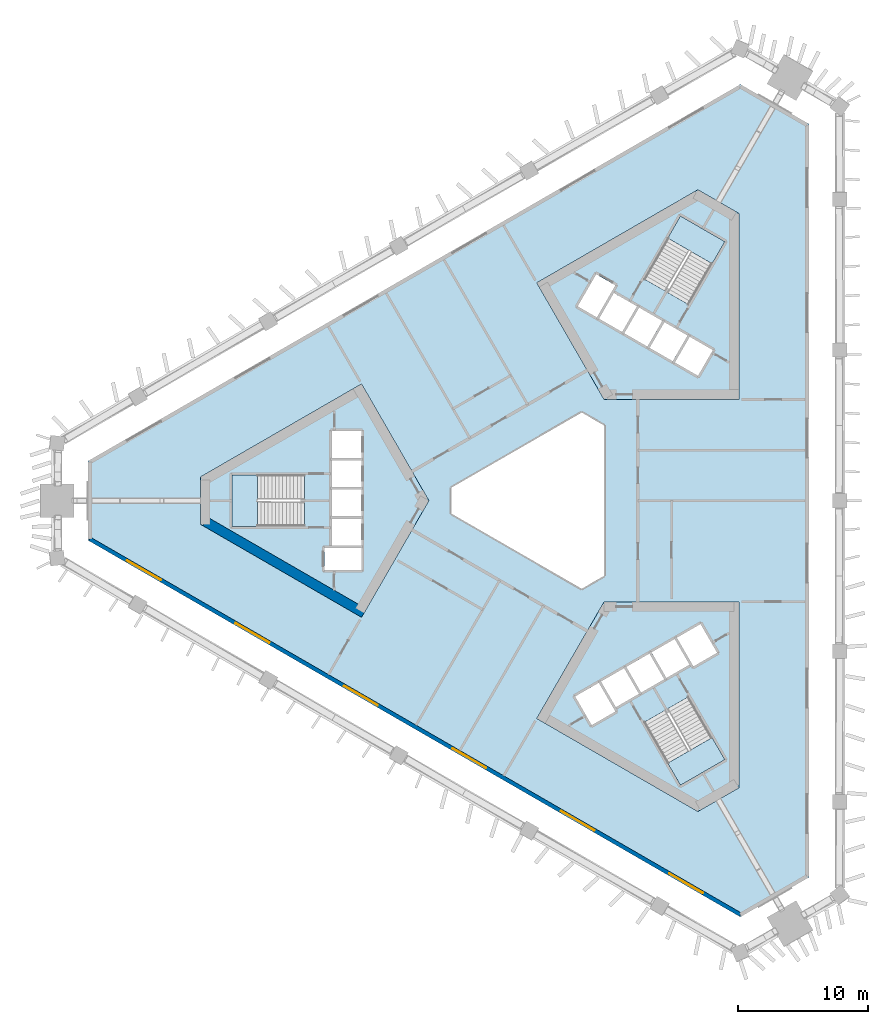
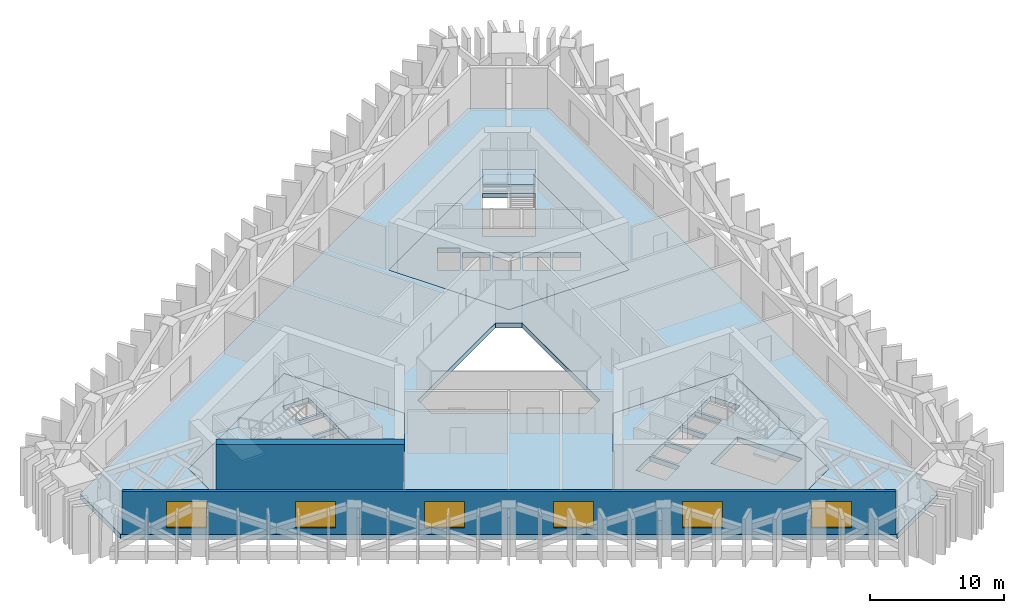
# One storey, part 3 of 9: 7 slabs, 6 windows, 2 walls, 6 openings, 3 elements without a shape of their own.
"""IFC4 building model written with IfcOpenShell, lengths in metres."""

import ifcopenshell
import ifcopenshell.guid

model = None  # the IFC model being written
_history = None  # IfcOwnerHistory: only IFC2X3 demands one
_inside = {}  # id of a spatial element -> (the spatial element, [elements in it])
_under = {}  # id of a project, library or spatial element -> (it, [spatial elements below it])
_declared = {}  # id of a project -> (the project, [libraries it declares])
_typed = {}  # id of a type object -> (the type object, [elements of that type])
_made_of = {}  # id of a material, layer set ... -> (it, [elements and type objects made of it])


def new_model(schema):
    """Start an empty IFC model of exactly this schema.

    Asked for "IFC4X3", IfcOpenShell would pick the latest addendum, in which some entities
    have other attributes; the version numbers below select the first issue.
    IFC2X3 requires an IfcOwnerHistory on every rooted entity: one is made here for all.
    """
    global model, _history
    if schema == "IFC4X3":
        model = ifcopenshell.file(schema_version=(4, 3, 0, 0))
    else:
        model = ifcopenshell.file(schema=schema)
    _inside.clear()
    _under.clear()
    _declared.clear()
    _typed.clear()
    _made_of.clear()
    _history = None
    if model.schema == "IFC2X3":
        org = make("IfcOrganization", Name="unknown")
        user = make(
            "IfcPersonAndOrganization",
            ThePerson=make("IfcPerson", FamilyName="unknown"),
            TheOrganization=org,
        )
        app = make(
            "IfcApplication",
            ApplicationDeveloper=org,
            Version="unknown",
            ApplicationFullName="unknown",
            ApplicationIdentifier="unknown",
        )
        _history = make(
            "IfcOwnerHistory",
            OwningUser=user,
            OwningApplication=app,
            ChangeAction="ADDED",
            CreationDate=0,
        )
    return model


def make(cls, **values):
    """One entity of the class cls with the attributes given. An attribute that is None is left unset."""
    return model.create_entity(
        cls, **{name: value for name, value in values.items() if value is not None}
    )


def rooted(cls, **values):
    """An entity with a GlobalId (a new one), such as an element, a storey or a relation."""
    return make(cls, GlobalId=ifcopenshell.guid.new(), OwnerHistory=_history, **values)


def si_unit(unit_type, name, prefix=None):
    """IfcSIUnit, for example si_unit("LENGTHUNIT", "METRE", prefix="MILLI")."""
    return make("IfcSIUnit", UnitType=unit_type, Prefix=prefix, Name=name)


def assignment(units):
    """IfcUnitAssignment: the units of a project."""
    return None if units is None else make("IfcUnitAssignment", Units=units)


def point(xyz):
    """IfcCartesianPoint."""
    return None if xyz is None else make("IfcCartesianPoint", Coordinates=xyz)


def direction(xyz):
    """IfcDirection."""
    return None if xyz is None else make("IfcDirection", DirectionRatios=xyz)


def frame(location, z_axis=None, x_axis=None):
    """IfcAxis2Placement3D, a coordinate frame: its origin and axes. An axis left out is left unset."""
    return make(
        "IfcAxis2Placement3D",
        Location=point(location),
        Axis=direction(z_axis),
        RefDirection=direction(x_axis),
    )


def frame_2d(location, x_axis=None):
    """IfcAxis2Placement2D, a coordinate frame in the plane: its origin and x axis."""
    return make(
        "IfcAxis2Placement2D", Location=point(location), RefDirection=direction(x_axis)
    )


def origin():
    """The frame at (0, 0, 0) with its axes left unset."""
    return frame((0.0, 0.0, 0.0))


def place(relative_to, where):
    """IfcLocalPlacement: puts the frame where relative to a parent placement (None: the world)."""
    return make(
        "IfcLocalPlacement", PlacementRelTo=relative_to, RelativePlacement=where
    )


def context(
    kind, dimensions, precision=None, world=None, true_north=None, identifier=None
):
    """IfcGeometricRepresentationContext, for example the 3D "Model" context."""
    return make(
        "IfcGeometricRepresentationContext",
        ContextIdentifier=identifier,
        ContextType=kind,
        CoordinateSpaceDimension=dimensions,
        Precision=precision,
        WorldCoordinateSystem=world,
        TrueNorth=true_north,
    )


def subcontext(parent, identifier, kind, view, scale=None):
    """IfcGeometricRepresentationSubContext, for example "Body" below "Model"."""
    return make(
        "IfcGeometricRepresentationSubContext",
        ContextIdentifier=identifier,
        ContextType=kind,
        ParentContext=parent,
        TargetScale=scale,
        TargetView=view,
    )


def project(units=None, contexts=None):
    """IfcProject with its units and contexts."""
    return rooted(
        "IfcProject",
        Name="project",
        RepresentationContexts=contexts,
        UnitsInContext=assignment(units),
    )


def spatial(cls, under=None, at=None, **own):
    """A site, building, storey or space (cls), placed at a placement, below another one or the project."""
    s = rooted(cls, ObjectPlacement=at, **own)
    if under is not None:
        _under.setdefault(under.id(), (under, []))[1].append(s)
    return s


def polyline(points):
    """IfcPolyline through the points."""
    return make("IfcPolyline", Points=[point(p) for p in points])


def profile(cls, at=None, kind="AREA", **sizes):
    """A parametric profile (cls). Its sizes go by their IFC names, for example OverallWidth=200.0."""
    return make(cls, ProfileType=kind, Position=at, **sizes)


def rectangle(**sizes):
    """IfcRectangleProfileDef."""
    return profile("IfcRectangleProfileDef", **sizes)


def outline(outer, holes=None, kind="AREA"):
    """IfcArbitraryClosedProfileDef: a profile drawn as a closed curve; with holes, ...WithVoids."""
    if holes is None:
        return make("IfcArbitraryClosedProfileDef", ProfileType=kind, OuterCurve=outer)
    return make(
        "IfcArbitraryProfileDefWithVoids",
        ProfileType=kind,
        OuterCurve=outer,
        InnerCurves=holes,
    )


def extrude(swept, where, along, depth):
    """IfcExtrudedAreaSolid: the profile swept, set in the frame where, extruded along a direction by depth."""
    return make(
        "IfcExtrudedAreaSolid",
        SweptArea=swept,
        Position=where,
        ExtrudedDirection=direction(along),
        Depth=depth,
    )


def shape(context_of_items, identifier, shape_type, items):
    """IfcShapeRepresentation: the items that make up one representation, for example the "Body"."""
    return make(
        "IfcShapeRepresentation",
        ContextOfItems=context_of_items,
        RepresentationIdentifier=identifier,
        RepresentationType=shape_type,
        Items=items,
    )


def material(Name=None, Category=None):
    """IfcMaterial."""
    return make("IfcMaterial", Name=Name, Category=Category)


def layer(
    of_material, thickness, ventilated=None, Name=None, Category=None, Priority=None
):
    """IfcMaterialLayer: one layer of a wall or slab, of a material (None: an air gap)."""
    return make(
        "IfcMaterialLayer",
        Material=of_material,
        LayerThickness=thickness,
        IsVentilated=ventilated,
        Name=Name,
        Category=Category,
        Priority=Priority,
    )


def layer_set(layers, Name=None):
    """IfcMaterialLayerSet."""
    return make("IfcMaterialLayerSet", MaterialLayers=layers, LayerSetName=Name)


def made_of(thing, what):
    """Note that an element or type object is made of a material, layer set ...; save() writes the relation."""
    if what is not None:
        _made_of.setdefault(what.id(), (what, []))[1].append(thing)
    return thing


def type_object(cls, material=None, **own):
    """A type object (cls), such as IfcWallType, which elements share."""
    return made_of(rooted(cls, **own), material)


def element(
    cls,
    number,
    at=None,
    inside=None,
    cuts=None,
    type_object=None,
    material=None,
    context=None,
    identifier="Body",
    shape_type=None,
    held_by="IfcProductDefinitionShape",
    body=None,
    shapes=None,
    **own,
):
    """One element of the class cls, such as IfcWall. Its Tag is "e" and its number.

    at: its placement. inside: the storey or other place that contains it. cuts: it is an
    opening in that element (IfcRelVoidsElement). A single representation is given by context,
    identifier, shape_type and body (its items); several are given by shapes. held_by: the class
    of the entity that holds the representations. save() writes the other relations.
    """
    e = rooted(cls, Tag="e%d" % number, ObjectPlacement=at, **own)
    if body is not None:
        shapes = [shape(context, identifier, shape_type, body)]
    if shapes is not None:
        e.Representation = make(held_by, Representations=shapes)
    if inside is not None:
        _inside.setdefault(inside.id(), (inside, []))[1].append(e)
    if cuts is not None:
        rooted(
            "IfcRelVoidsElement", RelatingBuildingElement=cuts, RelatedOpeningElement=e
        )
    if type_object is not None:
        _typed.setdefault(type_object.id(), (type_object, []))[1].append(e)
    return made_of(e, material)


def fill(opening, filler):
    """IfcRelFillsElement: the door or window that sits in an opening."""
    return rooted(
        "IfcRelFillsElement",
        RelatingOpeningElement=opening,
        RelatedBuildingElement=filler,
    )


def aggregate(whole, parts):
    """IfcRelAggregates: a whole, such as a stair, and the parts it consists of."""
    return rooted("IfcRelAggregates", RelatingObject=whole, RelatedObjects=parts)


def save(model, path):
    """Write the relations noted so far, then the file.

    IfcRelAggregates (storeys below a building ...), IfcRelContainedInSpatialStructure (elements
    in a storey), IfcRelDefinesByType, IfcRelAssociatesMaterial and IfcRelDeclares: one each for
    every whole, place, type object, material and project.
    """
    for whole, parts in _under.values():
        aggregate(whole, parts)
    for where, things in _inside.values():
        rooted(
            "IfcRelContainedInSpatialStructure",
            RelatedElements=things,
            RelatingStructure=where,
        )
    for kind, things in _typed.values():
        rooted("IfcRelDefinesByType", RelatedObjects=things, RelatingType=kind)
    for what, things in _made_of.values():
        rooted("IfcRelAssociatesMaterial", RelatedObjects=things, RelatingMaterial=what)
    for by, libraries in _declared.values():
        rooted("IfcRelDeclares", RelatingContext=by, RelatedDefinitions=libraries)
    model.write(path)


model = new_model("IFC4")

# Units and contexts
model_context = context("Model", 3, precision=1e-05, world=origin(), true_north=direction((0.0, 1.0)))
body_context = subcontext(model_context, "Body", "Model", "MODEL_VIEW")
ifc_project = project(units=[si_unit("LENGTHUNIT", "METRE"), si_unit("AREAUNIT", "SQUARE_METRE"), si_unit("VOLUMEUNIT", "CUBIC_METRE"), si_unit("PLANEANGLEUNIT", "RADIAN"), si_unit("MASSUNIT", "GRAM", prefix="KILO")], contexts=[model_context])

# Site, building, storey
site_placement = place(None, origin())
site = spatial("IfcSite", under=ifc_project, at=site_placement, CompositionType="ELEMENT")
building_placement = place(site_placement, origin())
building = spatial("IfcBuilding", under=site, at=building_placement, Name="Jabali Bay Hotel Tower and Convention Centre", CompositionType="ELEMENT")
storey_placement = place(building_placement, frame((0.0, 0.0, 98.0)))
storey = spatial("IfcBuildingStorey", under=building, at=storey_placement, Name="L23", CompositionType="ELEMENT", Elevation=98.0)

# Slabs
ifc_material_1 = material(Name="Concrete C40", Category="concrete")
ifc_layer_1 = layer(ifc_material_1, 0.449951171875)
ifc_layer_set_1 = layer_set([ifc_layer_1], Name="Concrete C40")
slab_type_1 = type_object("IfcSlabType", Name="Core floor slab 450", PredefinedType="FLOOR", material=ifc_layer_set_1)
slab_1_placement = place(storey_placement, frame((0.0, 0.0, -0.449951171875)))
element("IfcSlab", 1, at=slab_1_placement, inside=storey, type_object=slab_type_1, Name="Core floor slab 1 L23", PredefinedType="FLOOR", context=body_context, shape_type="SweptSolid", body=[
    extrude(outline(polyline([(66.0, 80.0), (60.81005859375, 88.9892578125), (48.39697265625, 81.82275390625), (48.39697265625, 78.17724609375), (60.81005859375, 71.0107421875), (66.0, 80.0)]), holes=[polyline([(60.800048828125, 74.64990234375), (60.800048828125, 76.35009765625), (57.949951171875, 76.35009765625), (57.949951171875, 74.64990234375), (60.800048828125, 74.64990234375)]), polyline([(58.52001953125, 76.550048828125), (60.800048828125, 76.550048828125), (60.800048828125, 78.60009765625), (58.52001953125, 78.60009765625), (58.52001953125, 76.550048828125)]), polyline([(58.52001953125, 78.800048828125), (60.800048828125, 78.800048828125), (60.800048828125, 80.85009765625), (58.52001953125, 80.85009765625), (58.52001953125, 78.800048828125)]), polyline([(56.409912109375, 81.97509765625), (50.820068359375, 81.97509765625), (50.820068359375, 78.02490234375), (56.409912109375, 78.02490234375), (56.409912109375, 81.97509765625)]), polyline([(58.52001953125, 81.050048828125), (60.800048828125, 81.050048828125), (60.800048828125, 83.10009765625), (58.52001953125, 83.10009765625), (58.52001953125, 81.050048828125)]), polyline([(58.52001953125, 83.300048828125), (60.800048828125, 83.300048828125), (60.800048828125, 85.35009765625), (58.52001953125, 85.35009765625), (58.52001953125, 83.300048828125)])]), origin(), (0.0, 0.0, 1.0), 0.449951171875),
])
slab_2_placement = place(storey_placement, frame((0.0, 0.0, -0.449951171875)))
element("IfcSlab", 2, at=slab_2_placement, inside=storey, type_object=slab_type_1, Name="Core floor slab 2 L23", PredefinedType="FLOOR", context=body_context, shape_type="SweptSolid", body=[
    extrude(outline(polyline([(79.5, 87.794189453125), (89.8798828125, 87.794189453125), (89.8798828125, 102.127685546875), (86.72314453125, 103.9501953125), (74.31005859375, 96.78369140625), (79.5, 87.794189453125)]), holes=[polyline([(84.957763671875, 90.6474609375), (86.733154296875, 89.62255859375), (87.873291015625, 91.59716796875), (86.097900390625, 92.6220703125), (84.957763671875, 90.6474609375)]), polyline([(84.1494140625, 93.7470703125), (83.00927734375, 91.7724609375), (84.78466796875, 90.74755859375), (85.924560546875, 92.72216796875), (84.1494140625, 93.7470703125)]), polyline([(82.20068359375, 94.8720703125), (81.060791015625, 92.8974609375), (82.836181640625, 91.87255859375), (83.97607421875, 93.84716796875), (82.20068359375, 94.8720703125)]), polyline([(79.1123046875, 94.0224609375), (80.887451171875, 92.99755859375), (82.027587890625, 94.97216796875), (80.252197265625, 95.9970703125), (79.1123046875, 94.0224609375)]), polyline([(78.891845703125, 97.440673828125), (77.466796875, 94.97265625), (78.93896484375, 94.12255859375), (80.364013671875, 96.5908203125), (78.891845703125, 97.440673828125)]), polyline([(82.584716796875, 97.0869140625), (86.00537109375, 95.11181640625), (88.80029296875, 99.952880859375), (85.379638671875, 101.927978515625), (82.584716796875, 97.0869140625)])]), origin(), (0.0, 0.0, 1.0), 0.449951171875),
])
slab_3_placement = place(storey_placement, frame((0.0, 0.0, -0.449951171875)))
element("IfcSlab", 3, at=slab_3_placement, inside=storey, type_object=slab_type_1, Name="Core floor slab 3 L23", PredefinedType="FLOOR", context=body_context, shape_type="SweptSolid", body=[
    extrude(outline(polyline([(79.5, 72.205810546875), (74.31005859375, 63.21630859375), (86.72314453125, 56.0498046875), (89.8798828125, 57.872314453125), (89.8798828125, 72.205810546875), (79.5, 72.205810546875)]), holes=[polyline([(82.584716796875, 62.9130859375), (85.379638671875, 58.072021484375), (88.80029296875, 60.047119140625), (86.00537109375, 64.88818359375), (82.584716796875, 62.9130859375)]), polyline([(80.365478515625, 63.756591796875), (79.090576171875, 65.96484375), (77.27197265625, 64.9150390625), (78.546875, 62.70654296875), (80.365478515625, 63.756591796875)]), polyline([(82.17919921875, 65.115478515625), (81.0390625, 67.08984375), (79.263671875, 66.06494140625), (80.40380859375, 64.09033203125), (82.17919921875, 65.115478515625)]), polyline([(82.98779296875, 68.21484375), (81.21240234375, 67.18994140625), (82.352294921875, 65.21533203125), (84.127685546875, 66.240478515625), (82.98779296875, 68.21484375)]), polyline([(86.076171875, 67.365478515625), (84.936279296875, 69.33984375), (83.160888671875, 68.31494140625), (84.30078125, 66.34033203125), (86.076171875, 67.365478515625)]), polyline([(88.203125, 68.281494140625), (86.927978515625, 70.489990234375), (85.109375, 69.43994140625), (86.384521484375, 67.231689453125), (88.203125, 68.281494140625)])]), origin(), (0.0, 0.0, 1.0), 0.449951171875),
])
ifc_layer_2 = layer(ifc_material_1, 0.449951171875)
ifc_layer_set_2 = layer_set([ifc_layer_2], Name="Concrete C40")
slab_type_2 = type_object("IfcSlabType", Name="Post-tensioned flat slab 450", PredefinedType="FLOOR", material=ifc_layer_set_2)
slab_4_placement = place(storey_placement, frame((0.0, 0.0, -0.449951171875)))
element("IfcSlab", 4, at=slab_4_placement, inside=storey, type_object=slab_type_2, Name="Floor slab L23", PredefinedType="FLOOR", context=body_context, shape_type="SweptSolid", body=[
    extrude(outline(polyline([(89.998291015625, 112.0732421875), (95.277099609375, 109.025634765625), (95.277099609375, 50.974365234375), (89.998291015625, 47.9267578125), (39.724609375, 76.9521484375), (39.724609375, 83.0478515625), (89.998291015625, 112.0732421875)]), holes=[polyline([(67.73193359375, 79.0), (77.76806640625, 73.205810546875), (79.5, 74.205810546875), (79.5, 85.794189453125), (77.76806640625, 86.794189453125), (67.73193359375, 81.0), (67.73193359375, 79.0)]), polyline([(48.39697265625, 78.17724609375), (60.81005859375, 71.0107421875), (66.0, 80.0), (60.81005859375, 88.9892578125), (48.39697265625, 81.82275390625), (48.39697265625, 78.17724609375)]), polyline([(89.8798828125, 102.127685546875), (86.72314453125, 103.9501953125), (74.31005859375, 96.78369140625), (79.5, 87.794189453125), (89.8798828125, 87.794189453125), (89.8798828125, 102.127685546875)]), polyline([(74.31005859375, 63.21630859375), (86.72314453125, 56.0498046875), (89.8798828125, 57.872314453125), (89.8798828125, 72.205810546875), (79.5, 72.205810546875), (74.31005859375, 63.21630859375)])]), origin(), (0.0, 0.0, 1.0), 0.449951171875),
])

# Stair, slab
stair_type = type_object("IfcStairType", Name="Exit stair 1900", PredefinedType="HALF_TURN_STAIR", material=ifc_material_1)
stair_1_placement = place(storey_placement, origin())
stair_1 = element("IfcStair", 5, at=stair_1_placement, inside=storey, type_object=stair_type, Name="L23 Exit Stair 1", PredefinedType="HALF_TURN_STAIR")
ifc_layer_3 = layer(ifc_material_1, 0.199951171875)
ifc_layer_set_3 = layer_set([ifc_layer_3], Name="Concrete C40")
slab_type_3 = type_object("IfcSlabType", Name="Stair landing 200", PredefinedType="LANDING", material=ifc_layer_set_3)
slab_5_placement = place(storey_placement, frame((0.0, 0.0, 2.0)))
slab_5 = element("IfcSlab", 6, at=slab_5_placement, type_object=slab_type_3, Name="ST1 landing 1", PredefinedType="LANDING", context=body_context, shape_type="SweptSolid", body=[
    extrude(outline(polyline([(52.782958984375, 81.97509765625), (50.820068359375, 81.97509765625), (50.820068359375, 78.02490234375), (52.782958984375, 78.02490234375), (52.782958984375, 81.97509765625)])), origin(), (0.0, 0.0, 1.0), 0.199951171875),
])
aggregate(stair_1, [slab_5])

stair_2_placement = place(storey_placement, origin())
stair_2 = element("IfcStair", 7, at=stair_2_placement, inside=storey, type_object=stair_type, Name="L23 Exit Stair 2", PredefinedType="HALF_TURN_STAIR")
slab_6_placement = place(storey_placement, frame((0.0, 0.0, 2.0)))
slab_6 = element("IfcSlab", 8, at=slab_6_placement, type_object=slab_type_3, Name="ST2 landing 1", PredefinedType="LANDING", context=body_context, shape_type="SweptSolid", body=[
    extrude(outline(polyline([(87.81884765625, 98.2529296875), (88.80029296875, 99.952880859375), (85.379638671875, 101.927978515625), (84.398193359375, 100.22802734375), (87.81884765625, 98.2529296875)])), origin(), (0.0, 0.0, 1.0), 0.199951171875),
])
aggregate(stair_2, [slab_6])

stair_3_placement = place(storey_placement, origin())
stair_3 = element("IfcStair", 9, at=stair_3_placement, inside=storey, type_object=stair_type, Name="L23 Exit Stair 3", PredefinedType="HALF_TURN_STAIR")
slab_7_placement = place(storey_placement, frame((0.0, 0.0, 2.0)))
slab_7 = element("IfcSlab", 10, at=slab_7_placement, type_object=slab_type_3, Name="ST3 landing 1", PredefinedType="LANDING", context=body_context, shape_type="SweptSolid", body=[
    extrude(outline(polyline([(84.398193359375, 59.77197265625), (85.379638671875, 58.072021484375), (88.80029296875, 60.047119140625), (87.81884765625, 61.7470703125), (84.398193359375, 59.77197265625)])), origin(), (0.0, 0.0, 1.0), 0.199951171875),
])
aggregate(stair_3, [slab_7])

# Wall
ifc_material_2 = material(Name="Concrete C60", Category="concrete")
ifc_layer_4 = layer(ifc_material_2, 0.75)
ifc_layer_set_4 = layer_set([ifc_layer_4], Name="Concrete C60")
wall_type_1 = type_object("IfcWallType", Name="Core wall 750", PredefinedType="SHEAR", material=ifc_layer_set_4)
wall_1_placement = place(storey_placement, frame((48.77197265625, 78.393798828125, 0.0), z_axis=(0.0, 0.0, 1.0), x_axis=(0.866028339916, -0.499994914436, 0.0)))
element("IfcWall", 11, at=wall_1_placement, inside=storey, type_object=wall_type_1, Name="Core wall 1.4 L23", PredefinedType="SHEAR", context=body_context, shape_type="SweptSolid", body=[
    extrude(rectangle(XDim=14.116943359375, YDim=0.75, at=frame_2d((7.05859375, 0.0))), origin(), (0.0, 0.0, 1.0), 4.39990234375),
])

# Wall, openings, windows
ifc_layer_5 = layer(ifc_material_1, 0.300048828125)
ifc_layer_set_5 = layer_set([ifc_layer_5], Name="Concrete C40")
wall_type_2 = type_object("IfcWallType", Name="External wall 300", PredefinedType="SOLIDWALL", material=ifc_layer_set_5)
wall_2_placement = place(storey_placement, frame((89.998291015625, 48.099853515625, 0.0), z_axis=(0.0, 0.0, 1.0), x_axis=(-0.866025498246, 0.499999836387, 0.0)))
wall_2 = element("IfcWall", 12, at=wall_2_placement, inside=storey, type_object=wall_type_2, Name="External wall south-west face L23", PredefinedType="SOLIDWALL", context=body_context, shape_type="SweptSolid", body=[
    extrude(rectangle(XDim=57.8779296875, YDim=0.300048828125, at=frame_2d((28.93896484375, 0.0))), origin(), (0.0, 0.0, 1.0), 3.89990234375),
])
opening_1_placement = place(wall_2_placement, frame((3.3232421875, 0.0, 0.60009765625)))
opening_1 = element("IfcOpeningElement", 13, at=opening_1_placement, cuts=wall_2, Name="Opening W2", PredefinedType="OPENING", context=body_context, shape_type="SweptSolid", body=[
    extrude(rectangle(XDim=3.0, YDim=2.39990234375, at=frame_2d((1.5, 1.199951171875))), frame((0.0, 0.16064453125, 0.0), z_axis=(0.0, -1.0, 0.0), x_axis=(1.0, 0.0, 0.0)), (0.0, 0.0, 1.0), 0.321044921875),
])
opening_2_placement = place(wall_2_placement, frame((12.969482421875, 0.0, 0.60009765625)))
opening_2 = element("IfcOpeningElement", 14, at=opening_2_placement, cuts=wall_2, Name="Opening W2", PredefinedType="OPENING", context=body_context, shape_type="SweptSolid", body=[
    extrude(rectangle(XDim=3.0, YDim=2.39990234375, at=frame_2d((1.5, 1.199951171875))), frame((0.0, 0.16064453125, 0.0), z_axis=(0.0, -1.0, 0.0), x_axis=(1.0, 0.0, 0.0)), (0.0, 0.0, 1.0), 0.321044921875),
])
opening_3_placement = place(wall_2_placement, frame((22.61572265625, 0.0, 0.60009765625)))
opening_3 = element("IfcOpeningElement", 15, at=opening_3_placement, cuts=wall_2, Name="Opening W2", PredefinedType="OPENING", context=body_context, shape_type="SweptSolid", body=[
    extrude(rectangle(XDim=3.0, YDim=2.39990234375, at=frame_2d((1.5, 1.199951171875))), frame((0.0, 0.16064453125, 0.0), z_axis=(0.0, -1.0, 0.0), x_axis=(1.0, 0.0, 0.0)), (0.0, 0.0, 1.0), 0.321044921875),
])
opening_4_placement = place(wall_2_placement, frame((32.26220703125, 0.0, 0.60009765625)))
opening_4 = element("IfcOpeningElement", 16, at=opening_4_placement, cuts=wall_2, Name="Opening W2", PredefinedType="OPENING", context=body_context, shape_type="SweptSolid", body=[
    extrude(rectangle(XDim=3.0, YDim=2.39990234375, at=frame_2d((1.5, 1.199951171875))), frame((0.0, 0.16064453125, 0.0), z_axis=(0.0, -1.0, 0.0), x_axis=(1.0, 0.0, 0.0)), (0.0, 0.0, 1.0), 0.321044921875),
])
opening_5_placement = place(wall_2_placement, frame((41.908447265625, 0.0, 0.60009765625)))
opening_5 = element("IfcOpeningElement", 17, at=opening_5_placement, cuts=wall_2, Name="Opening W2", PredefinedType="OPENING", context=body_context, shape_type="SweptSolid", body=[
    extrude(rectangle(XDim=3.0, YDim=2.39990234375, at=frame_2d((1.5, 1.199951171875))), frame((0.0, 0.16064453125, 0.0), z_axis=(0.0, -1.0, 0.0), x_axis=(1.0, 0.0, 0.0)), (0.0, 0.0, 1.0), 0.321044921875),
])
opening_6_placement = place(wall_2_placement, frame((51.5546875, 0.0, 0.60009765625)))
opening_6 = element("IfcOpeningElement", 18, at=opening_6_placement, cuts=wall_2, Name="Opening W2", PredefinedType="OPENING", context=body_context, shape_type="SweptSolid", body=[
    extrude(rectangle(XDim=3.0, YDim=2.39990234375, at=frame_2d((1.5, 1.199951171875))), frame((0.0, 0.16064453125, 0.0), z_axis=(0.0, -1.0, 0.0), x_axis=(1.0, 0.0, 0.0)), (0.0, 0.0, 1.0), 0.321044921875),
])
ifc_material_3 = material(Name="Aluminium", Category="aluminium")
window_type = type_object("IfcWindowType", Name="Louvred ventilation panel 3000 x 2400", PartitioningType="SINGLE_PANEL", PredefinedType="WINDOW", material=ifc_material_3)
window_1_placement = place(opening_1_placement, origin())
window_1 = element("IfcWindow", 19, at=window_1_placement, inside=storey, type_object=window_type, Name="Louvred panel 1", OverallHeight=2.39990234375, OverallWidth=3.0, PartitioningType="SINGLE_PANEL", PredefinedType="WINDOW", context=body_context, shape_type="SweptSolid", body=[
    extrude(rectangle(XDim=3.0, YDim=2.39990234375, at=frame_2d((1.5, 1.199951171875))), frame((0.0, 0.030029296875, 0.0), z_axis=(0.0, -1.0, 0.0), x_axis=(1.0, 0.0, 0.0)), (0.0, 0.0, 1.0), 0.06005859375),
])
fill(opening_1, window_1)
window_2_placement = place(opening_2_placement, origin())
window_2 = element("IfcWindow", 20, at=window_2_placement, inside=storey, type_object=window_type, Name="Louvred panel 2", OverallHeight=2.39990234375, OverallWidth=3.0, PartitioningType="SINGLE_PANEL", PredefinedType="WINDOW", context=body_context, shape_type="SweptSolid", body=[
    extrude(rectangle(XDim=3.0, YDim=2.39990234375, at=frame_2d((1.5, 1.199951171875))), frame((0.0, 0.030029296875, 0.0), z_axis=(0.0, -1.0, 0.0), x_axis=(1.0, 0.0, 0.0)), (0.0, 0.0, 1.0), 0.06005859375),
])
fill(opening_2, window_2)
window_3_placement = place(opening_3_placement, origin())
window_3 = element("IfcWindow", 21, at=window_3_placement, inside=storey, type_object=window_type, Name="Louvred panel 3", OverallHeight=2.39990234375, OverallWidth=3.0, PartitioningType="SINGLE_PANEL", PredefinedType="WINDOW", context=body_context, shape_type="SweptSolid", body=[
    extrude(rectangle(XDim=3.0, YDim=2.39990234375, at=frame_2d((1.5, 1.199951171875))), frame((0.0, 0.030029296875, 0.0), z_axis=(0.0, -1.0, 0.0), x_axis=(1.0, 0.0, 0.0)), (0.0, 0.0, 1.0), 0.06005859375),
])
fill(opening_3, window_3)
window_4_placement = place(opening_4_placement, origin())
window_4 = element("IfcWindow", 22, at=window_4_placement, inside=storey, type_object=window_type, Name="Louvred panel 4", OverallHeight=2.39990234375, OverallWidth=3.0, PartitioningType="SINGLE_PANEL", PredefinedType="WINDOW", context=body_context, shape_type="SweptSolid", body=[
    extrude(rectangle(XDim=3.0, YDim=2.39990234375, at=frame_2d((1.5, 1.199951171875))), frame((0.0, 0.030029296875, 0.0), z_axis=(0.0, -1.0, 0.0), x_axis=(1.0, 0.0, 0.0)), (0.0, 0.0, 1.0), 0.06005859375),
])
fill(opening_4, window_4)
window_5_placement = place(opening_5_placement, origin())
window_5 = element("IfcWindow", 23, at=window_5_placement, inside=storey, type_object=window_type, Name="Louvred panel 5", OverallHeight=2.39990234375, OverallWidth=3.0, PartitioningType="SINGLE_PANEL", PredefinedType="WINDOW", context=body_context, shape_type="SweptSolid", body=[
    extrude(rectangle(XDim=3.0, YDim=2.39990234375, at=frame_2d((1.5, 1.199951171875))), frame((0.0, 0.030029296875, 0.0), z_axis=(0.0, -1.0, 0.0), x_axis=(1.0, 0.0, 0.0)), (0.0, 0.0, 1.0), 0.06005859375),
])
fill(opening_5, window_5)
window_6_placement = place(opening_6_placement, origin())
window_6 = element("IfcWindow", 24, at=window_6_placement, inside=storey, type_object=window_type, Name="Louvred panel 6", OverallHeight=2.39990234375, OverallWidth=3.0, PartitioningType="SINGLE_PANEL", PredefinedType="WINDOW", context=body_context, shape_type="SweptSolid", body=[
    extrude(rectangle(XDim=3.0, YDim=2.39990234375, at=frame_2d((1.5, 1.199951171875))), frame((0.0, 0.030029296875, 0.0), z_axis=(0.0, -1.0, 0.0), x_axis=(1.0, 0.0, 0.0)), (0.0, 0.0, 1.0), 0.06005859375),
])
fill(opening_6, window_6)

save(model, "model.ifc")
